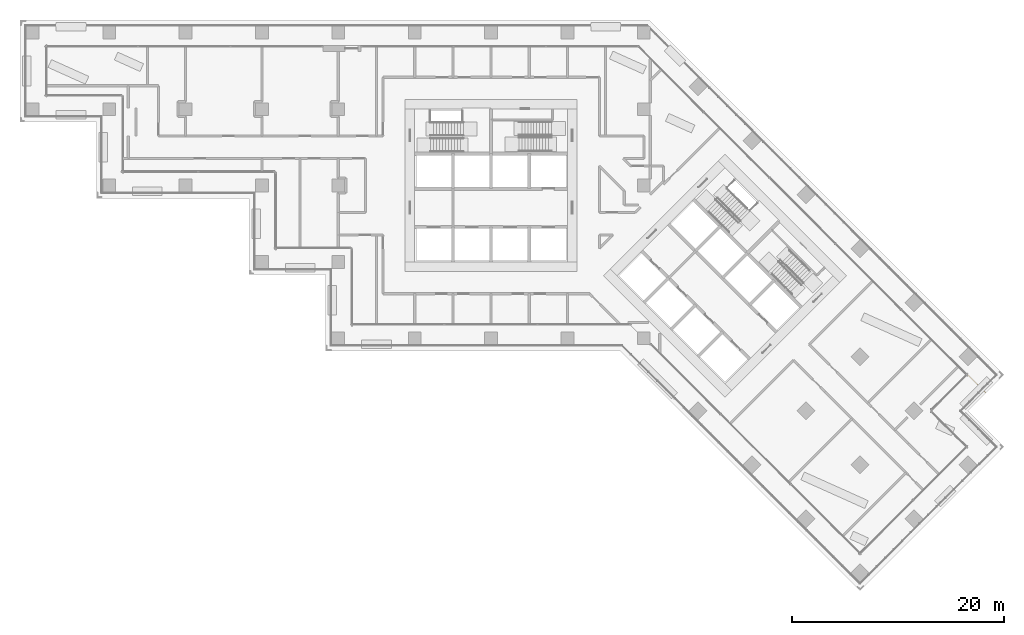
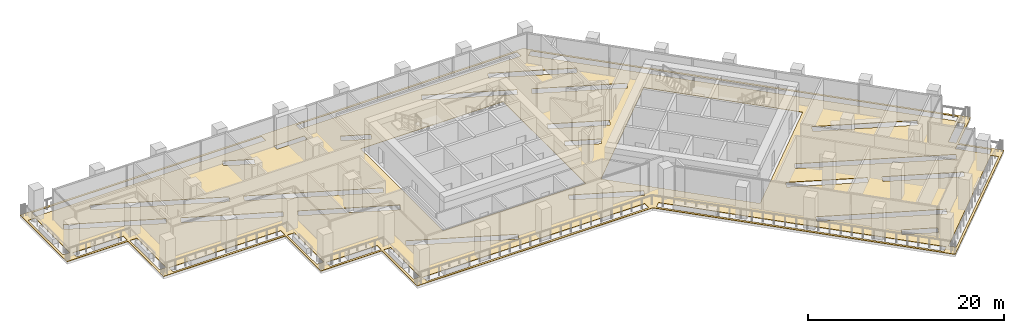
# One storey, part 17 of 24: 1 covering.
"""IFC4 building model written with IfcOpenShell, lengths in metres."""

from ifc_helpers import new_model, si_unit, direction, frame, origin, place, context, subcontext, project, spatial, polyline, outline, extrude, material, layer, layer_set, type_object, element, save


model = new_model("IFC4")

# Units and contexts
model_context = context("Model", 3, precision=1e-05, world=origin(), true_north=direction((0.0, 1.0)))
body_context = subcontext(model_context, "Body", "Model", "MODEL_VIEW")
ifc_project = project(units=[si_unit("LENGTHUNIT", "METRE"), si_unit("AREAUNIT", "SQUARE_METRE"), si_unit("VOLUMEUNIT", "CUBIC_METRE"), si_unit("PLANEANGLEUNIT", "RADIAN"), si_unit("MASSUNIT", "GRAM", prefix="KILO")], contexts=[model_context])

# Site, building, storey
site_placement = place(None, origin())
site = spatial("IfcSite", under=ifc_project, at=site_placement, CompositionType="ELEMENT")
building_placement = place(site_placement, origin())
building = spatial("IfcBuilding", under=site, at=building_placement, Name="Windrow Commons", CompositionType="ELEMENT")
storey_placement = place(building_placement, frame((0.0, 0.0, 77.0)))
storey = spatial("IfcBuildingStorey", under=building, at=storey_placement, Name="L20", CompositionType="ELEMENT", Elevation=77.0)

# Covering
ifc_material = material(Name="Granite paving", Category="masonry")
ifc_layer = layer(ifc_material, 0.05)
ifc_layer_set = layer_set([ifc_layer], Name="Terrace paving 50")
covering_type = type_object("IfcCoveringType", Name="Terrace paving 50", PredefinedType="FLOORING", material=ifc_layer_set)
covering_placement = place(storey_placement, origin())
element("IfcCovering", 1, at=covering_placement, inside=storey, type_object=covering_type, Name="Terrace paving TR-L20-1", PredefinedType="FLOORING", context=body_context, shape_type="SweptSolid", body=[
    extrude(outline(polyline([(49.2, 42.0), (49.2, 49.2), (42.0, 49.2), (42.0, 56.4), (27.6, 56.4), (27.6, 63.6), (20.4, 63.6), (20.4, 73.2), (79.6971, 73.2), (113.1411, 39.7559), (109.747, 36.3618), (113.1411, 32.9677), (99.5647, 19.3913), (76.9559, 42.0), (49.2, 42.0)]), holes=[polyline([(76.6251, 43.06), (50.45, 43.06), (50.45, 42.24), (76.6251, 42.24), (76.6251, 43.06)]), polyline([(50.26, 43.25), (50.26, 49.25), (49.44, 49.25), (49.44, 43.25), (50.26, 43.25)]), polyline([(51.8363, 48.7817), (62.37, 44.0531), (62.7059, 44.8012), (52.1721, 49.5298), (51.8363, 48.7817)]), polyline([(49.25, 50.26), (43.25, 50.26), (43.25, 49.44), (49.25, 49.44), (49.25, 50.26)]), polyline([(43.06, 50.45), (43.06, 56.45), (42.24, 56.45), (42.24, 50.45), (43.06, 50.45)]), polyline([(42.05, 57.46), (28.85, 57.46), (28.85, 56.64), (42.05, 56.64), (42.05, 57.46)]), polyline([(44.943, 58.8914), (54.5279, 54.5887), (54.8637, 55.3368), (45.2788, 59.6395), (44.943, 58.8914)]), polyline([(73.2, 66.0), (56.4, 66.0), (56.4, 49.2), (73.2, 49.2), (73.2, 66.0)]), polyline([(27.84, 57.65), (28.66, 57.65), (28.66, 63.65), (27.84, 63.65), (27.84, 57.65)]), polyline([(41.5092, 63.9404), (54.5279, 58.0963), (54.8637, 58.8444), (41.845, 64.6885), (41.5092, 63.9404)]), polyline([(33.9896, 63.8083), (43.5745, 59.5057), (43.9104, 60.2537), (34.3255, 64.5564), (33.9896, 63.8083)]), polyline([(27.65, 64.66), (21.65, 64.66), (21.65, 63.84), (27.65, 63.84), (27.65, 64.66)]), polyline([(23.3721, 69.4733), (23.0363, 68.7253), (32.6212, 64.4226), (32.957, 65.1707), (23.3721, 69.4733)]), polyline([(27.4579, 71.1469), (27.122, 70.3988), (40.1407, 64.5547), (40.4766, 65.3028), (27.4579, 71.1469)]), polyline([(55.3828, 68.2355), (58.2395, 66.9531), (58.5753, 67.7012), (55.7186, 68.9835), (55.3828, 68.2355)]), polyline([(21.46, 64.85), (21.46, 71.95), (20.64, 71.95), (20.64, 64.85), (21.46, 64.85)]), polyline([(42.7497, 70.3988), (45.7057, 69.0719), (46.0415, 69.82), (43.0855, 71.1469), (42.7497, 70.3988)]), polyline([(52.5519, 70.85), (48.9519, 70.85), (48.9519, 70.2), (52.5519, 70.2), (52.5519, 70.85)]), polyline([(21.65, 72.96), (21.65, 72.14), (48.7519, 72.14), (48.7519, 72.96), (21.65, 72.96)]), polyline([(96.6174, 25.1718), (100.03, 23.6399), (100.3658, 24.388), (96.9532, 25.9199), (96.6174, 25.1718)]), polyline([(111.5077, 32.8333), (99.6991, 21.0247), (100.2789, 20.4449), (112.0875, 32.2535), (111.5077, 32.8333)]), polyline([(90.2526, 31.5366), (102.4509, 26.0608), (102.7867, 26.8089), (90.5884, 32.2847), (90.2526, 31.5366)]), polyline([(99.4303, 21.0247), (77.9393, 42.5157), (77.3595, 41.9358), (98.8505, 20.4448), (99.4303, 21.0247)]), polyline([(99.6521, 34.3325), (107.2927, 30.9026), (107.6285, 31.6507), (99.9879, 35.0806), (99.6521, 34.3325)]), polyline([(108.9622, 35.6476), (111.5077, 33.1021), (112.0875, 33.6819), (109.542, 36.2274), (108.9622, 35.6476)]), polyline([(90.643, 38.3766), (98.2836, 34.9468), (98.6194, 35.6949), (90.9788, 39.1247), (90.643, 38.3766)]), polyline([(93.3997, 41.5456), (93.0639, 40.7975), (108.1795, 34.0121), (108.5153, 34.7602), (93.3997, 41.5456)]), polyline([(112.0875, 39.0417), (111.5077, 39.6215), (108.9622, 37.076), (109.542, 36.4962), (112.0875, 39.0417)]), polyline([(97.9057, 45.6393), (107.7675, 41.2123), (108.1033, 41.9604), (98.2415, 46.3874), (97.9057, 45.6393)]), polyline([(70.3218, 47.4988), (77.335, 44.3506), (77.6708, 45.0987), (70.6576, 48.2469), (70.3218, 47.4988)]), polyline([(86.8368, 60.9691), (74.9574, 49.0897), (86.8368, 37.2103), (98.7161, 49.0897), (86.8368, 60.9691)]), polyline([(75.0721, 56.7881), (74.7363, 56.04), (78.1483, 54.5084), (78.4841, 55.2565), (75.0721, 56.7881)]), polyline([(80.1421, 72.4156), (79.5622, 71.8358), (111.5077, 39.8903), (112.0876, 40.4701), (80.1421, 72.4156)]), polyline([(74.7363, 59.5477), (80.5692, 56.9293), (80.905, 57.6774), (75.0721, 60.2958), (74.7363, 59.5477)]), polyline([(76.4853, 65.7778), (85.411, 61.7711), (85.7468, 62.5192), (76.8211, 66.5259), (76.4853, 65.7778)]), polyline([(66.1912, 70.3988), (75.1169, 66.3921), (75.4527, 67.1402), (66.5271, 71.1469), (66.1912, 70.3988)]), polyline([(74.3409, 71.1469), (74.0051, 70.3988), (82.3085, 66.6714), (82.6443, 67.4195), (74.3409, 71.1469)]), polyline([(52.7519, 72.96), (52.7519, 72.14), (78.8279, 72.14), (78.8279, 72.96), (52.7519, 72.96)])]), origin(), (0.0, 0.0, 1.0), 0.05),
])

save(model, "model.ifc")
